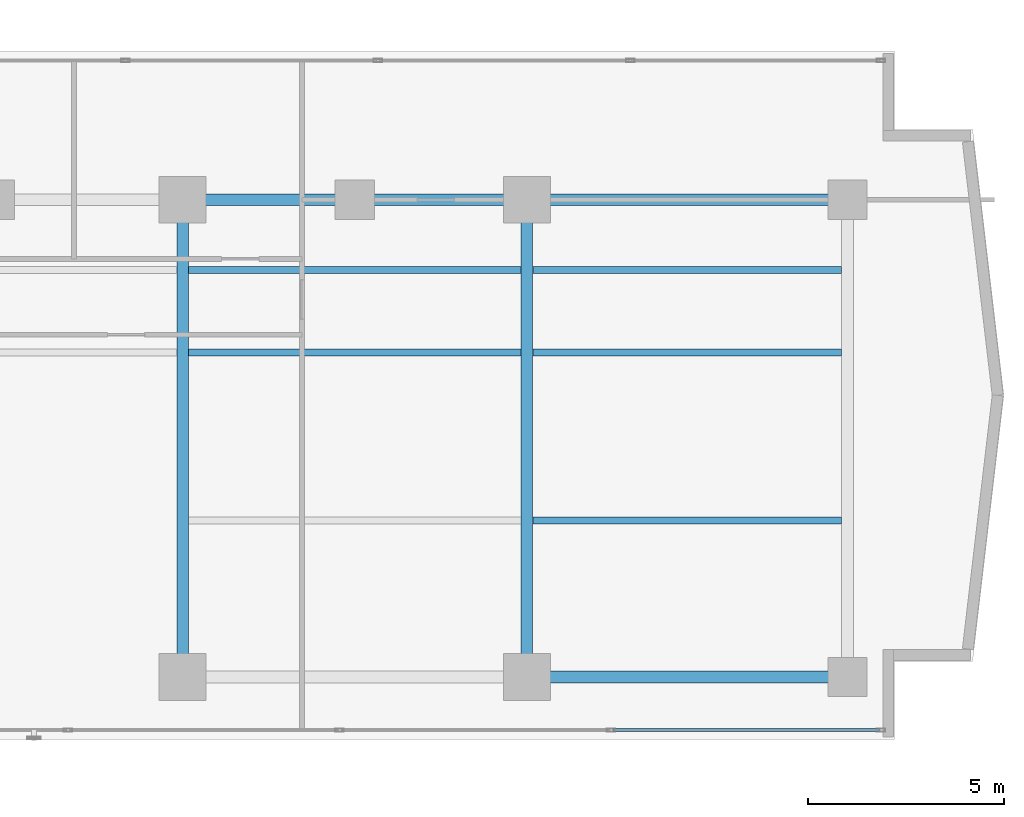
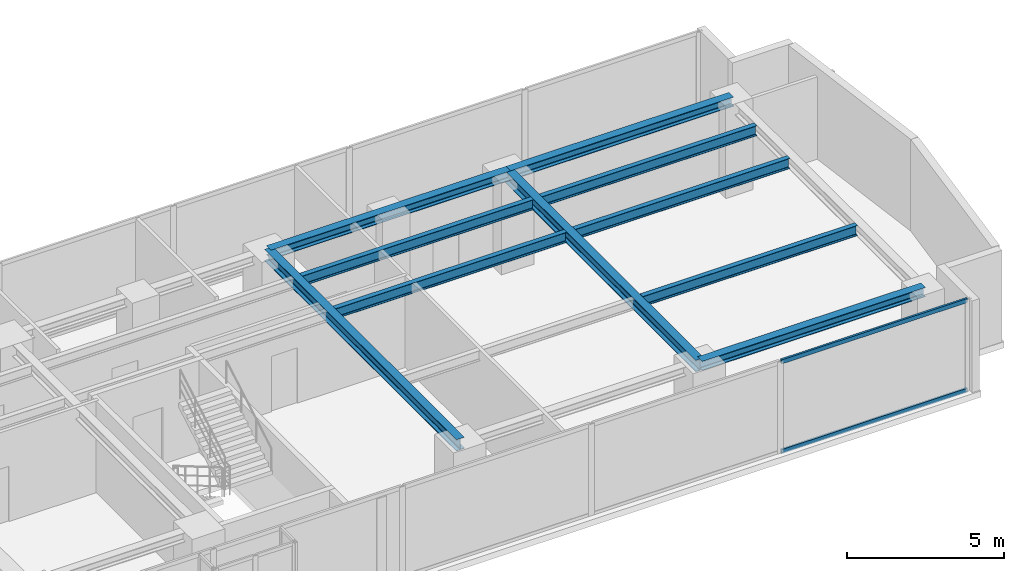
# One storey, part 11 of 24: 10 beams, 2 members, 1 element without a shape of its own.
"""IFC4 building model written with IfcOpenShell, lengths in metres."""

from ifc_helpers import new_model, si_unit, direction, frame, origin, origin_with_axes, origin_2d, place, context, subcontext, project, spatial, hollow_rectangle, i_section, extrude, source, transform, mapped, material, layer, layer_set, material_profile, profile_set, type_object, element, aggregate, save


model = new_model("IFC4")

# Units and contexts
model_context = context("Model", 3, precision=1e-05, world=origin(), true_north=direction((0.0, 1.0)))
body_context = subcontext(model_context, "Body", "Model", "MODEL_VIEW")
ifc_project = project(units=[si_unit("LENGTHUNIT", "METRE"), si_unit("AREAUNIT", "SQUARE_METRE"), si_unit("VOLUMEUNIT", "CUBIC_METRE"), si_unit("PLANEANGLEUNIT", "RADIAN"), si_unit("MASSUNIT", "GRAM", prefix="KILO")], contexts=[model_context])

# Site, building, storey
site_placement = place(None, origin())
site = spatial("IfcSite", under=ifc_project, at=site_placement, CompositionType="ELEMENT")
building_placement = place(site_placement, origin())
building = spatial("IfcBuilding", under=site, at=building_placement, Name="Kolvaren Waterfront Exchange", CompositionType="ELEMENT")
storey_placement = place(building_placement, frame((0.0, 0.0, 153.800048828125)))
storey = spatial("IfcBuildingStorey", under=building, at=storey_placement, Name="L39", CompositionType="ELEMENT", Elevation=153.800048828125)

# Beams
ifc_material_1 = material(Name="Steel S355", Category="steel")
ifc_material_profile_1 = material_profile(ifc_material_1, i_section(OverallWidth=0.300048828125, OverallDepth=0.360107421875, WebThickness=0.012451171875, FlangeThickness=0.0224609375, FilletRadius=0.027099609375, at=origin_2d()), Name="HEB360")
ifc_profile_set_1 = profile_set([ifc_material_profile_1], Name="Steel S355")
beam_type_1 = type_object("IfcBeamType", Name="STR-BM-HEB360", PredefinedType="SPANDREL", material=ifc_profile_set_1)
beam_1_placement = place(storey_placement, frame((45.60009765625, 5.199951171875, 3.3798828125), z_axis=(1.0, 0.0, 0.0), x_axis=(0.0, 1.0, 0.0)))
element("IfcBeam", 1, at=beam_1_placement, inside=storey, type_object=beam_type_1, Name="L39 east-arm spandrel S4", PredefinedType="SPANDREL", context=body_context, shape_type="SweptSolid", body=[
    extrude(i_section(OverallWidth=0.300048828125, OverallDepth=0.360107421875, WebThickness=0.012451171875, FlangeThickness=0.0224609375, FilletRadius=0.027099609375, at=origin_2d()), origin(), (0.0, 0.0, 1.0), 8.199951171875),
])
beam_2_placement = place(storey_placement, frame((36.800048828125, 17.39990234375, 3.3798828125), z_axis=(1.0, 0.0, 0.0), x_axis=(0.0, 1.0, 0.0)))
element("IfcBeam", 2, at=beam_2_placement, inside=storey, type_object=beam_type_1, Name="L39 east-arm spandrel N3", PredefinedType="SPANDREL", context=body_context, shape_type="SweptSolid", body=[
    extrude(i_section(OverallWidth=0.300048828125, OverallDepth=0.360107421875, WebThickness=0.012451171875, FlangeThickness=0.0224609375, FilletRadius=0.027099609375, at=origin_2d()), origin(), (0.0, 0.0, 1.0), 8.800048828125),
])
beam_3_placement = place(storey_placement, frame((45.60009765625, 17.39990234375, 3.3798828125), z_axis=(1.0, 0.0, 0.0), x_axis=(0.0, 1.0, 0.0)))
element("IfcBeam", 3, at=beam_3_placement, inside=storey, type_object=beam_type_1, Name="L39 east-arm spandrel N4", PredefinedType="SPANDREL", context=body_context, shape_type="SweptSolid", body=[
    extrude(i_section(OverallWidth=0.300048828125, OverallDepth=0.360107421875, WebThickness=0.012451171875, FlangeThickness=0.0224609375, FilletRadius=0.027099609375, at=origin_2d()), origin(), (0.0, 0.0, 1.0), 8.199951171875),
])
ifc_material_profile_2 = material_profile(ifc_material_1, i_section(OverallWidth=0.300048828125, OverallDepth=0.449951171875, WebThickness=0.013916015625, FlangeThickness=0.02587890625, FilletRadius=0.027099609375, at=origin_2d()), Name="HEB450")
ifc_profile_set_2 = profile_set([ifc_material_profile_2], Name="Steel S355")
beam_type_2 = type_object("IfcBeamType", Name="STR-BM-HEB450", PredefinedType="BEAM", material=ifc_profile_set_2)
for number, where, z_axis, x_axis, name in (
    (4, (36.800048828125, 5.199951171875, 3.3349609375), (0.0, 1.0, 0.0), (-1.0, 0.0, 0.0), "L39 east-arm transverse girder X36"),
    (5, (45.60009765625, 5.199951171875, 3.3349609375), (0.0, 1.0, 0.0), (-1.0, 0.0, 0.0), "L39 east-arm transverse girder X45"),
):
    element("IfcBeam", number, at=place(storey_placement, frame(where, z_axis=z_axis, x_axis=x_axis)), inside=storey, type_object=beam_type_2, Name=name, PredefinedType="BEAM", context=body_context, shape_type="SweptSolid", body=[
        extrude(i_section(OverallWidth=0.300048828125, OverallDepth=0.449951171875, WebThickness=0.013916015625, FlangeThickness=0.02587890625, FilletRadius=0.027099609375, at=origin_2d()), origin(), (0.0, 0.0, 1.0), 12.199951171875),
    ])
ifc_material_profile_3 = material_profile(ifc_material_1, i_section(OverallWidth=0.179931640625, OverallDepth=0.39990234375, WebThickness=0.008544921875, FlangeThickness=0.013427734375, FilletRadius=0.02099609375, at=origin_2d()), Name="IPE400")
ifc_profile_set_3 = profile_set([ifc_material_profile_3], Name="Steel S355")
beam_type_3 = type_object("IfcBeamType", Name="STR-BM-IPE400", PredefinedType="JOIST", material=ifc_profile_set_3)
for number, where, z_axis, x_axis, name in (
    (6, (36.951904296875, 13.5, 3.35986328125), (1.0, 0.0, 0.0), (0.0, 1.0, 0.0), "L39 east-arm composite joist 3A"),
    (7, (36.951904296875, 15.60009765625, 3.35986328125), (1.0, 0.0, 0.0), (0.0, 1.0, 0.0), "L39 east-arm composite joist 3C"),
):
    element("IfcBeam", number, at=place(storey_placement, frame(where, z_axis=z_axis, x_axis=x_axis)), inside=storey, type_object=beam_type_3, Name=name, PredefinedType="JOIST", context=body_context, shape_type="SweptSolid", body=[
        extrude(i_section(OverallWidth=0.179931640625, OverallDepth=0.39990234375, WebThickness=0.008544921875, FlangeThickness=0.013427734375, FilletRadius=0.02099609375, at=origin_2d()), origin(), (0.0, 0.0, 1.0), 8.49609375),
    ])
for number, where, z_axis, x_axis, name in (
    (8, (45.751953125, 13.5, 3.35986328125), (1.0, 0.0, 0.0), (0.0, 1.0, 0.0), "L39 east-arm composite joist 4A"),
    (9, (45.751953125, 15.60009765625, 3.35986328125), (1.0, 0.0, 0.0), (0.0, 1.0, 0.0), "L39 east-arm composite joist 4C"),
    (10, (45.751953125, 9.199951171875, 3.35986328125), (1.0, 0.0, 0.0), (0.0, 1.0, 0.0), "L39 east-arm composite joist 4B"),
):
    element("IfcBeam", number, at=place(storey_placement, frame(where, z_axis=z_axis, x_axis=x_axis)), inside=storey, type_object=beam_type_3, Name=name, PredefinedType="JOIST", context=body_context, shape_type="SweptSolid", body=[
        extrude(i_section(OverallWidth=0.179931640625, OverallDepth=0.39990234375, WebThickness=0.008544921875, FlangeThickness=0.013427734375, FilletRadius=0.02099609375, at=origin_2d()), origin(), (0.0, 0.0, 1.0), 7.89599609375),
    ])

# Curtain wall, members
ifc_material_2 = material(Name="Anodised bronze aluminium 6063-T6", Category="aluminium")
ifc_layer = layer(ifc_material_2, 0.219970703125, Name="Anodised bronze aluminium 6063-T6")
ifc_layer_set = layer_set([ifc_layer], Name="Anodised bronze aluminium 6063-T6")
curtain_wall_type = type_object("IfcCurtainWallType", Name="ARC-CW-SYS1", PredefinedType="USERDEFINED", material=ifc_layer_set)
curtain_wall_placement = place(storey_placement, origin())
curtain_wall = element("IfcCurtainWall", 11, at=curtain_wall_placement, inside=storey, type_object=curtain_wall_type, Name="L39 stick curtain wall CW1 (CW-L39-S)", ObjectType="STICK CURTAIN WALL", PredefinedType="USERDEFINED")
ifc_material_3 = material(Name="Anodised aluminium 6063-T6", Category="aluminium")
ifc_material_profile_4 = material_profile(ifc_material_3, hollow_rectangle(XDim=0.074951171875, YDim=0.159912109375, WallThickness=0.00439453125, at=origin_2d()), Name="ALU-TRN-160x75x4.5")
ifc_profile_set_4 = profile_set([ifc_material_profile_4], Name="Anodised aluminium 6063-T6")
member_type = type_object("IfcMemberType", Name="ARC-CWT-160", PredefinedType="USERDEFINED", material=ifc_profile_set_4)
shared_shape = source(origin_with_axes(), body_context, "Body", "SweptSolid", [
    extrude(hollow_rectangle(XDim=0.074951171875, YDim=0.159912109375, WallThickness=0.00439453125, at=origin_2d()), origin(), (0.0, 0.0, 1.0), 6.822998046875),
])
member_1_placement = place(storey_placement, frame((47.797119140625, 3.840087890625, 0.037353515625), z_axis=(1.0, 0.0, 0.0), x_axis=(0.0, 1.0, 0.0)))
member_1 = element("IfcMember", 12, at=member_1_placement, type_object=member_type, Name="CW1 transom 7.1", ObjectType="TRANSOM", PredefinedType="USERDEFINED", context=body_context, shape_type="MappedRepresentation", body=[
    mapped(shared_shape, transform((0.0, 0.0, 0.0), x_axis=(1.0, 0.0, 0.0), y_axis=(0.0, 1.0, 0.0), z_axis=(0.0, 0.0, 1.0), scale=1.0)),
])
member_2_placement = place(storey_placement, frame((47.797119140625, 3.840087890625, 3.5224609375), z_axis=(1.0, 0.0, 0.0), x_axis=(0.0, 1.0, 0.0)))
member_2 = element("IfcMember", 13, at=member_2_placement, type_object=member_type, Name="CW1 transom 7.2", ObjectType="TRANSOM", PredefinedType="USERDEFINED", context=body_context, shape_type="MappedRepresentation", body=[
    mapped(shared_shape, transform((0.0, 0.0, 0.0), x_axis=(1.0, 0.0, 0.0), y_axis=(0.0, 1.0, 0.0), z_axis=(0.0, 0.0, 1.0), scale=1.0)),
])
aggregate(curtain_wall, [member_1, member_2])

save(model, "model.ifc")
